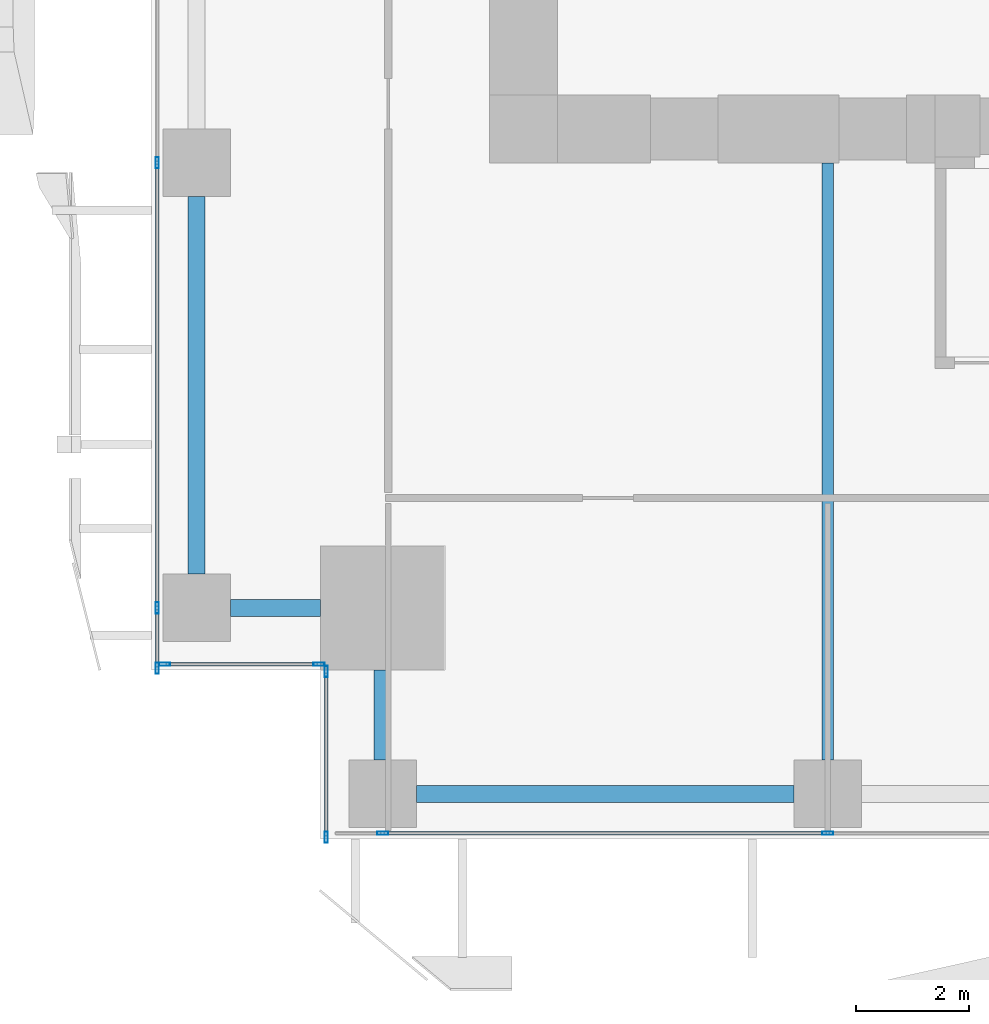
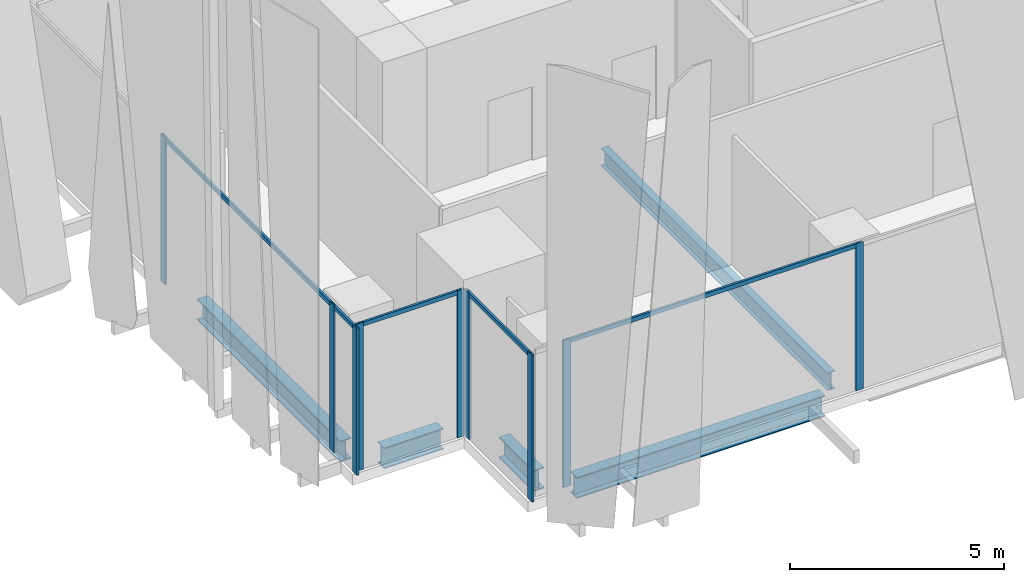
# One storey, part 2 of 37: 14 members, 5 beams, 4 elements without a shape of their own.
"""IFC4 building model written with IfcOpenShell, lengths in metres."""

from ifc_helpers import new_model, si_unit, direction, frame, origin, origin_2d, place, context, subcontext, project, spatial, hollow_rectangle, i_section, extrude, source, transform, mapped, material, material_profile, profile_set, type_object, element, aggregate, save


model = new_model("IFC4")

# Units and contexts
model_context = context("Model", 3, precision=1e-05, world=origin(), true_north=direction((0.0, 1.0)))
body_context = subcontext(model_context, "Body", "Model", "MODEL_VIEW")
ifc_project = project(units=[si_unit("LENGTHUNIT", "METRE"), si_unit("AREAUNIT", "SQUARE_METRE"), si_unit("VOLUMEUNIT", "CUBIC_METRE"), si_unit("PLANEANGLEUNIT", "RADIAN"), si_unit("MASSUNIT", "GRAM", prefix="KILO")], contexts=[model_context])

# Site, building, storey
site_placement = place(None, origin())
site = spatial("IfcSite", under=ifc_project, at=site_placement, CompositionType="ELEMENT")
building_placement = place(site_placement, origin())
building = spatial("IfcBuilding", under=site, at=building_placement, Name="Khomas Fold Tower", CompositionType="ELEMENT")
storey_placement = place(building_placement, frame((0.0, 0.0, 60.0)))
storey = spatial("IfcBuildingStorey", under=building, at=storey_placement, Name="L12", CompositionType="ELEMENT", Elevation=60.0)

# Beams
ifc_material_1 = material(Name="Steel S355", Category="steel")
ifc_material_profile_1 = material_profile(ifc_material_1, i_section(OverallWidth=0.199951171875, OverallDepth=0.5, WebThickness=0.01025390625, FlangeThickness=0.01611328125, at=origin_2d()), Name="IPE 500")
ifc_profile_set_1 = profile_set([ifc_material_profile_1], Name="Steel S355")
beam_type_1 = type_object("IfcBeamType", Name="IPE 500 beam JB5", PredefinedType="BEAM", material=ifc_profile_set_1)
shared_shape_1 = source(origin(), body_context, "Body", "SweptSolid", [
    extrude(i_section(OverallWidth=0.199951171875, OverallDepth=0.5, WebThickness=0.01025390625, FlangeThickness=0.01611328125, at=origin_2d()), origin(), (0.0, 0.0, 1.0), 10.60009765625),
])
beam_placement = place(storey_placement, frame((12.0, 1.39990234375, -0.550048828125), z_axis=(0.0, 1.0, 0.0), x_axis=(-1.0, 0.0, 0.0)))
element("IfcBeam", 1, at=beam_placement, inside=storey, type_object=beam_type_1, Name="JB5", PredefinedType="BEAM", context=body_context, shape_type="MappedRepresentation", body=[
    mapped(shared_shape_1, transform((0.0, 0.0, 0.0))),
])
ifc_material_2 = material(Name="Steel S355", Category="steel")
ifc_material_profile_2 = material_profile(ifc_material_2, i_section(OverallWidth=0.300048828125, OverallDepth=0.60009765625, WebThickness=0.015380859375, FlangeThickness=0.030029296875, at=origin_2d()), Name="HE 600 B")
ifc_profile_set_2 = profile_set([ifc_material_profile_2], Name="Steel S355")
beam_type_2 = type_object("IfcBeamType", Name="HE 600 B spandrel SB1", PredefinedType="SPANDREL", material=ifc_profile_set_2)
shared_shape_2 = source(origin(), body_context, "Body", "SweptSolid", [
    extrude(i_section(OverallWidth=0.300048828125, OverallDepth=0.60009765625, WebThickness=0.015380859375, FlangeThickness=0.030029296875, at=origin_2d()), origin(), (0.0, 0.0, 1.0), 6.699951171875),
])
for number, where, z_axis, x_axis, name in (
    (2, (4.699951171875, 0.800048828125, -0.60009765625), (1.0, 0.0, 0.0), (0.0, 1.0, 0.0), "SB1"),
    (3, (0.800048828125, 4.699951171875, -0.60009765625), (0.0, 1.0, 0.0), (-1.0, 0.0, 0.0), "SB1"),
):
    element("IfcBeam", number, at=place(storey_placement, frame(where, z_axis=z_axis, x_axis=x_axis)), inside=storey, type_object=beam_type_2, Name=name, PredefinedType="SPANDREL", context=body_context, shape_type="MappedRepresentation", body=[
        mapped(shared_shape_2, transform((0.0, 0.0, 0.0))),
    ])
shared_shape_3 = source(origin(), body_context, "Body", "SweptSolid", [
    extrude(i_section(OverallWidth=0.300048828125, OverallDepth=0.60009765625, WebThickness=0.015380859375, FlangeThickness=0.030029296875, at=origin_2d()), origin(), (0.0, 0.0, 1.0), 1.60009765625),
])
for number, where, z_axis, x_axis, name in (
    (4, (1.39990234375, 4.10009765625, -0.60009765625), (1.0, 0.0, 0.0), (0.0, 1.0, 0.0), "SB1"),
    (5, (4.10009765625, 1.39990234375, -0.60009765625), (0.0, 1.0, 0.0), (-1.0, 0.0, 0.0), "SB1"),
):
    element("IfcBeam", number, at=place(storey_placement, frame(where, z_axis=z_axis, x_axis=x_axis)), inside=storey, type_object=beam_type_2, Name=name, PredefinedType="SPANDREL", context=body_context, shape_type="MappedRepresentation", body=[
        mapped(shared_shape_3, transform((0.0, 0.0, 0.0))),
    ])

# Curtain wall, member
ifc_material_3 = material(Name="Aluminium framed double glazing", Category="aluminium")
curtain_wall_type = type_object("IfcCurtainWallType", Name="SK-Unitised clear-glass wall, growing floors CW1", PredefinedType="NOTDEFINED", material=ifc_material_3)
curtain_wall_1_placement = place(storey_placement, origin())
curtain_wall_1 = element("IfcCurtainWall", 6, at=curtain_wall_1_placement, inside=storey, type_object=curtain_wall_type, Name="CW1 run L12 00-0", PredefinedType="NOTDEFINED")
ifc_material_4 = material(Name="Aluminium", Category="aluminium")
ifc_material_profile_3 = material_profile(ifc_material_4, hollow_rectangle(XDim=0.06005859375, YDim=0.1201171875, WallThickness=0.00390625, at=origin_2d()), Name="SK-Unitised clear-glass wall, growing floors transom CW1-T")
ifc_profile_set_3 = profile_set([ifc_material_profile_3], Name="Aluminium")
member_type_1 = type_object("IfcMemberType", Name="SK-Unitised clear-glass wall, growing floors transom CW1-T", PredefinedType="USERDEFINED", material=ifc_profile_set_3)
shared_shape_4 = source(origin(), body_context, "Body", "SweptSolid", [
    extrude(hollow_rectangle(XDim=0.06005859375, YDim=0.1201171875, WallThickness=0.00390625, at=origin_2d()), origin(), (0.0, 0.0, 1.0), 7.840087890625),
])
member_1_placement = place(storey_placement, frame((4.1298828125, 0.10009765625, 4.139892578125), z_axis=(1.0, 0.0, 0.0), x_axis=(0.0, 1.0, 0.0)))
member_1 = element("IfcMember", 7, at=member_1_placement, type_object=member_type_1, Name="CW1 transom 2", ObjectType="TRANSOM", PredefinedType="USERDEFINED", context=body_context, shape_type="MappedRepresentation", body=[
    mapped(shared_shape_4, transform((0.0, 0.0, 0.0))),
])

# Curtain wall, members
curtain_wall_2_placement = place(storey_placement, origin())
curtain_wall_2 = element("IfcCurtainWall", 8, at=curtain_wall_2_placement, inside=storey, type_object=curtain_wall_type, Name="CW1 run L12 09-1", PredefinedType="NOTDEFINED")
member_2_placement = place(storey_placement, frame((0.10009765625, 11.969970703125, 4.139892578125), z_axis=(0.0, -1.0, 0.0), x_axis=(1.0, 0.0, 0.0)))
member_2 = element("IfcMember", 9, at=member_2_placement, type_object=member_type_1, Name="CW1 transom 4", ObjectType="TRANSOM", PredefinedType="USERDEFINED", context=body_context, shape_type="MappedRepresentation", body=[
    mapped(shared_shape_4, transform((0.0, 0.0, 0.0))),
])
shared_shape_5 = source(origin(), body_context, "Body", "SweptSolid", [
    extrude(hollow_rectangle(XDim=0.06005859375, YDim=0.1201171875, WallThickness=0.00390625, at=origin_2d()), origin(), (0.0, 0.0, 1.0), 1.010009765625),
])
member_3_placement = place(storey_placement, frame((0.10009765625, 4.070068359375, 4.139892578125), z_axis=(0.0, -1.0, 0.0), x_axis=(1.0, 0.0, 0.0)))
member_3 = element("IfcMember", 10, at=member_3_placement, type_object=member_type_1, Name="CW1 transom 5", ObjectType="TRANSOM", PredefinedType="USERDEFINED", context=body_context, shape_type="MappedRepresentation", body=[
    mapped(shared_shape_5, transform((0.0, 0.0, 0.0))),
])

# Curtain wall, member
curtain_wall_3_placement = place(storey_placement, origin())
curtain_wall_3 = element("IfcCurtainWall", 11, at=curtain_wall_3_placement, inside=storey, type_object=curtain_wall_type, Name="CW1 corner return L12 10", PredefinedType="NOTDEFINED")
shared_shape_6 = source(origin(), body_context, "Body", "SweptSolid", [
    extrude(hollow_rectangle(XDim=0.06005859375, YDim=0.1201171875, WallThickness=0.00390625, at=origin_2d()), origin(), (0.0, 0.0, 1.0), 2.679931640625),
])
member_4_placement = place(storey_placement, frame((0.260009765625, 3.10009765625, 4.139892578125), z_axis=(1.0, 0.0, 0.0), x_axis=(0.0, 1.0, 0.0)))
member_4 = element("IfcMember", 12, at=member_4_placement, type_object=member_type_1, Name="CW1 transom 1", ObjectType="TRANSOM", PredefinedType="USERDEFINED", context=body_context, shape_type="MappedRepresentation", body=[
    mapped(shared_shape_6, transform((0.0, 0.0, 0.0))),
])

curtain_wall_4_placement = place(storey_placement, origin())
curtain_wall_4 = element("IfcCurtainWall", 13, at=curtain_wall_4_placement, inside=storey, type_object=curtain_wall_type, Name="CW1 corner return L12 11", PredefinedType="NOTDEFINED")
shared_shape_7 = source(origin(), body_context, "Body", "SweptSolid", [
    extrude(hollow_rectangle(XDim=0.06005859375, YDim=0.1201171875, WallThickness=0.00390625, at=origin_2d()), origin(), (0.0, 0.0, 1.0), 2.8798828125),
])
member_5_placement = place(storey_placement, frame((3.10009765625, 2.93994140625, 4.139892578125), z_axis=(0.0, -1.0, 0.0), x_axis=(1.0, 0.0, 0.0)))
member_5 = element("IfcMember", 14, at=member_5_placement, type_object=member_type_1, Name="CW1 transom 1", ObjectType="TRANSOM", PredefinedType="USERDEFINED", context=body_context, shape_type="MappedRepresentation", body=[
    mapped(shared_shape_7, transform((0.0, 0.0, 0.0))),
])

# Member
ifc_material_5 = material(Name="Aluminium", Category="aluminium")
ifc_material_profile_4 = material_profile(ifc_material_5, hollow_rectangle(XDim=0.06005859375, YDim=0.199951171875, WallThickness=0.00390625, at=origin_2d()), Name="SK-Unitised clear-glass wall, growing floors mullion CW1-M")
ifc_profile_set_4 = profile_set([ifc_material_profile_4], Name="Aluminium")
member_type_2 = type_object("IfcMemberType", Name="SK-Unitised clear-glass wall, growing floors mullion CW1-M", PredefinedType="MULLION", material=ifc_profile_set_4)
shared_shape_8 = source(origin(), body_context, "Body", "SweptSolid", [
    extrude(hollow_rectangle(XDim=0.06005859375, YDim=0.199951171875, WallThickness=0.00390625, at=origin_2d()), origin(), (0.0, 0.0, 1.0), 4.199951171875),
])
member_6_placement = place(storey_placement, frame((4.10009765625, 0.10009765625, 0.0), z_axis=(0.0, 0.0, 1.0), x_axis=(0.0, 1.0, 0.0)))
member_6 = element("IfcMember", 15, at=member_6_placement, type_object=member_type_2, Name="CW1 mullion 2", PredefinedType="MULLION", context=body_context, shape_type="MappedRepresentation", body=[
    mapped(shared_shape_8, transform((0.0, 0.0, 0.0))),
])

member_7_placement = place(storey_placement, frame((12.0, 0.10009765625, 0.0), z_axis=(0.0, 0.0, 1.0), x_axis=(0.0, 1.0, 0.0)))
member_7 = element("IfcMember", 16, at=member_7_placement, type_object=member_type_2, Name="CW1 mullion 3", PredefinedType="MULLION", context=body_context, shape_type="MappedRepresentation", body=[
    mapped(shared_shape_8, transform((0.0, 0.0, 0.0))),
])

aggregate(curtain_wall_1, [member_6, member_7, member_1])

member_8_placement = place(storey_placement, frame((0.10009765625, 12.0, 0.0), z_axis=(0.0, 0.0, 1.0), x_axis=(1.0, 0.0, 0.0)))
member_8 = element("IfcMember", 17, at=member_8_placement, type_object=member_type_2, Name="CW1 mullion 4", PredefinedType="MULLION", context=body_context, shape_type="MappedRepresentation", body=[
    mapped(shared_shape_8, transform((0.0, 0.0, 0.0))),
])

member_9_placement = place(storey_placement, frame((0.10009765625, 4.10009765625, 0.0), z_axis=(0.0, 0.0, 1.0), x_axis=(1.0, 0.0, 0.0)))
member_9 = element("IfcMember", 18, at=member_9_placement, type_object=member_type_2, Name="CW1 mullion 5", PredefinedType="MULLION", context=body_context, shape_type="MappedRepresentation", body=[
    mapped(shared_shape_8, transform((0.0, 0.0, 0.0))),
])

member_10_placement = place(storey_placement, frame((0.10009765625, 3.030029296875, 0.0), z_axis=(0.0, 0.0, 1.0), x_axis=(1.0, 0.0, 0.0)))
member_10 = element("IfcMember", 19, at=member_10_placement, type_object=member_type_2, Name="CW1 mullion 6", PredefinedType="MULLION", context=body_context, shape_type="MappedRepresentation", body=[
    mapped(shared_shape_8, transform((0.0, 0.0, 0.0))),
])

aggregate(curtain_wall_2, [member_8, member_9, member_10, member_2, member_3])

member_11_placement = place(storey_placement, frame((0.22998046875, 3.10009765625, 0.0), z_axis=(0.0, 0.0, 1.0), x_axis=(0.0, 1.0, 0.0)))
member_11 = element("IfcMember", 20, at=member_11_placement, type_object=member_type_2, Name="CW1 mullion 1", PredefinedType="MULLION", context=body_context, shape_type="MappedRepresentation", body=[
    mapped(shared_shape_8, transform((0.0, 0.0, 0.0))),
])

member_12_placement = place(storey_placement, frame((2.969970703125, 3.10009765625, 0.0), z_axis=(0.0, 0.0, 1.0), x_axis=(0.0, 1.0, 0.0)))
member_12 = element("IfcMember", 21, at=member_12_placement, type_object=member_type_2, Name="CW1 mullion 2", PredefinedType="MULLION", context=body_context, shape_type="MappedRepresentation", body=[
    mapped(shared_shape_8, transform((0.0, 0.0, 0.0))),
])

aggregate(curtain_wall_3, [member_11, member_12, member_4])

member_13_placement = place(storey_placement, frame((3.10009765625, 2.969970703125, 0.0), z_axis=(0.0, 0.0, 1.0), x_axis=(1.0, 0.0, 0.0)))
member_13 = element("IfcMember", 22, at=member_13_placement, type_object=member_type_2, Name="CW1 mullion 1", PredefinedType="MULLION", context=body_context, shape_type="MappedRepresentation", body=[
    mapped(shared_shape_8, transform((0.0, 0.0, 0.0))),
])

member_14_placement = place(storey_placement, frame((3.10009765625, 0.030029296875, 0.0), z_axis=(0.0, 0.0, 1.0), x_axis=(1.0, 0.0, 0.0)))
member_14 = element("IfcMember", 23, at=member_14_placement, type_object=member_type_2, Name="CW1 mullion 2", PredefinedType="MULLION", context=body_context, shape_type="MappedRepresentation", body=[
    mapped(shared_shape_8, transform((0.0, 0.0, 0.0))),
])

aggregate(curtain_wall_4, [member_13, member_14, member_5])

save(model, "model.ifc")
